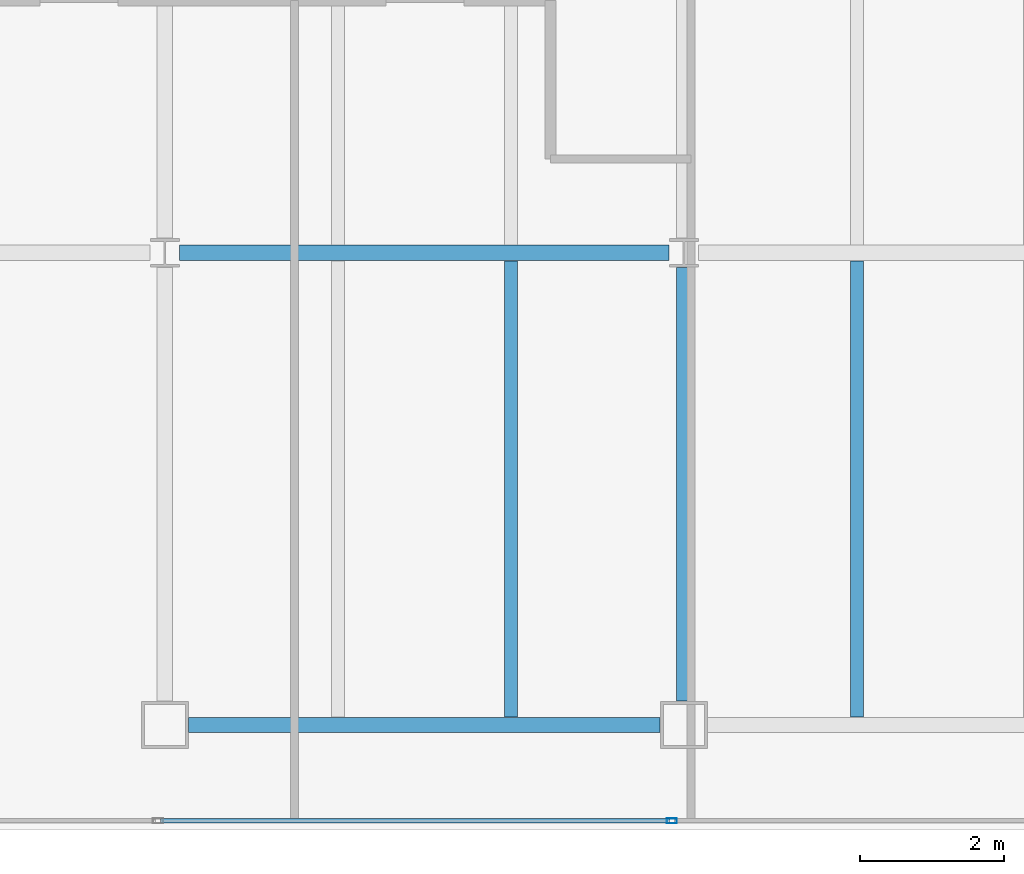
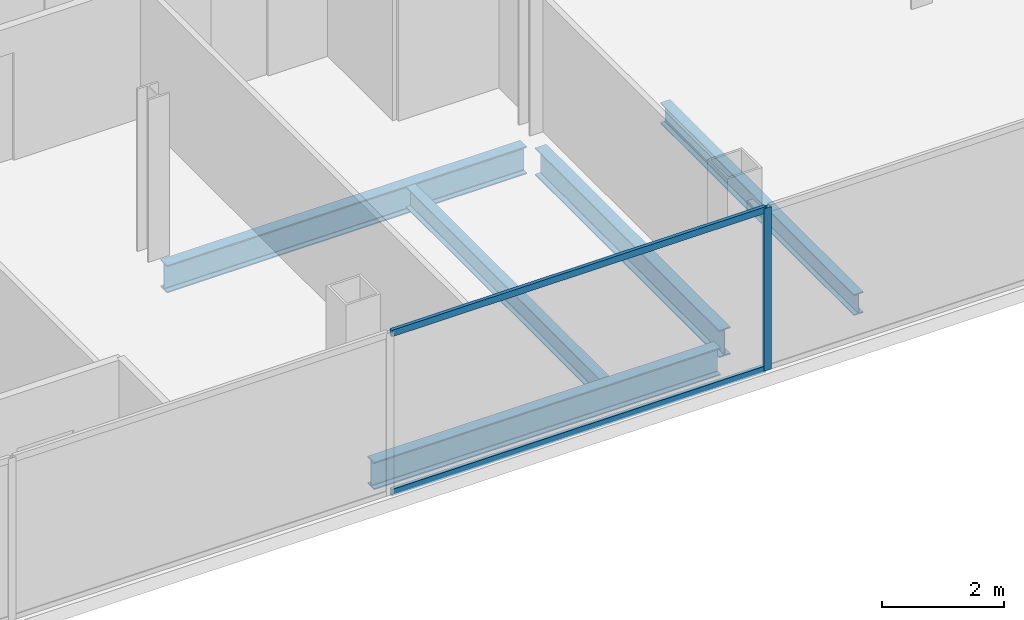
# One storey, part 6 of 23: 5 beams, 3 members, 1 element without a shape of its own.
"""IFC4 building model written with IfcOpenShell, lengths in metres."""

from ifc_helpers import new_model, si_unit, direction, frame, origin, origin_2d, place, context, subcontext, project, spatial, hollow_rectangle, i_section, extrude, material, material_profile, profile_set, type_object, element, aggregate, save


model = new_model("IFC4")

# Units and contexts
model_context = context("Model", 3, precision=1e-05, world=origin(), true_north=direction((0.0, 1.0)))
body_context = subcontext(model_context, "Body", "Model", "MODEL_VIEW")
ifc_project = project(units=[si_unit("LENGTHUNIT", "METRE"), si_unit("AREAUNIT", "SQUARE_METRE"), si_unit("VOLUMEUNIT", "CUBIC_METRE"), si_unit("PLANEANGLEUNIT", "RADIAN"), si_unit("MASSUNIT", "GRAM", prefix="KILO")], contexts=[model_context])

# Site, building, storey
site_placement = place(None, origin())
site = spatial("IfcSite", under=ifc_project, at=site_placement, CompositionType="ELEMENT")
building_placement = place(site_placement, origin())
building = spatial("IfcBuilding", under=site, at=building_placement, Name="Cobrela Telecom Tower", CompositionType="ELEMENT")
storey_placement = place(building_placement, frame((0.0, 0.0, 265.64990234375)))
storey = spatial("IfcBuildingStorey", under=building, at=storey_placement, Name="L69", CompositionType="ELEMENT", Elevation=265.64990234375)

# Beams
ifc_material_1 = material(Name="Steel ASTM A992 Grade 50", Category="steel")
ifc_material_profile_1 = material_profile(ifc_material_1, i_section(OverallWidth=0.212890625, OverallDepth=0.549072265625, WebThickness=0.0146484375, FlangeThickness=0.023681640625, FilletRadius=0.013916015625, at=origin_2d()), Name="W21X93")
ifc_profile_set_1 = profile_set([ifc_material_profile_1], Name="Steel ASTM A992 Grade 50")
beam_type_1 = type_object("IfcBeamType", Name="BM-GIRD-08", PredefinedType="USERDEFINED", material=ifc_profile_set_1)
beam_1_placement = place(storey_placement, frame((21.929931640625, 7.85009765625, -0.534423828125), z_axis=(1.0, 0.0, 0.0), x_axis=(0.0, 1.0, 0.0)))
element("IfcBeam", 1, at=beam_1_placement, inside=storey, type_object=beam_type_1, Name="L69 Primary Girder X03", ObjectType="GIRDER", PredefinedType="USERDEFINED", context=body_context, shape_type="SweptSolid", body=[
    extrude(i_section(OverallWidth=0.212890625, OverallDepth=0.549072265625, WebThickness=0.0146484375, FlangeThickness=0.023681640625, FilletRadius=0.013916015625, at=origin_2d()), origin(), (0.0, 0.0, 1.0), 6.5400390625),
])
beam_2_placement = place(storey_placement, frame((21.804443359375, 14.39990234375, -0.534423828125), z_axis=(1.0, 0.0, 0.0), x_axis=(0.0, 1.0, 0.0)))
element("IfcBeam", 2, at=beam_2_placement, inside=storey, type_object=beam_type_1, Name="L69 Primary Girder X06", ObjectType="GIRDER", PredefinedType="USERDEFINED", context=body_context, shape_type="SweptSolid", body=[
    extrude(i_section(OverallWidth=0.212890625, OverallDepth=0.549072265625, WebThickness=0.0146484375, FlangeThickness=0.023681640625, FilletRadius=0.013916015625, at=origin_2d()), origin(), (0.0, 0.0, 1.0), 6.791015625),
])
beam_3_placement = place(storey_placement, frame((28.800048828125, 8.179931640625, -0.534423828125), z_axis=(0.0, 1.0, 0.0), x_axis=(-1.0, 0.0, 0.0)))
element("IfcBeam", 3, at=beam_3_placement, inside=storey, type_object=beam_type_1, Name="L69 Primary Girder Y29", ObjectType="GIRDER", PredefinedType="USERDEFINED", context=body_context, shape_type="SweptSolid", body=[
    extrude(i_section(OverallWidth=0.212890625, OverallDepth=0.549072265625, WebThickness=0.0146484375, FlangeThickness=0.023681640625, FilletRadius=0.013916015625, at=origin_2d()), origin(), (0.0, 0.0, 1.0), 6.015625),
])
ifc_material_profile_2 = material_profile(ifc_material_1, i_section(OverallWidth=0.179931640625, OverallDepth=0.4169921875, WebThickness=0.010986328125, FlangeThickness=0.01806640625, FilletRadius=0.011962890625, at=origin_2d()), Name="W16X57")
ifc_profile_set_2 = profile_set([ifc_material_profile_2], Name="Steel ASTM A992 Grade 50")
beam_type_2 = type_object("IfcBeamType", Name="BM-JOIST-04", PredefinedType="JOIST", material=ifc_profile_set_2)
for number, where, z_axis, x_axis, name in (
    (4, (26.39990234375, 7.96142578125, -0.468505859375), (0.0, 1.0, 0.0), (-1.0, 0.0, 0.0), "L69 Secondary Composite Floor Beam J09"),
    (5, (31.199951171875, 7.96142578125, -0.468505859375), (0.0, 1.0, 0.0), (-1.0, 0.0, 0.0), "L69 Secondary Composite Floor Beam J11"),
):
    element("IfcBeam", number, at=place(storey_placement, frame(where, z_axis=z_axis, x_axis=x_axis)), inside=storey, type_object=beam_type_2, Name=name, PredefinedType="JOIST", context=body_context, shape_type="SweptSolid", body=[
        extrude(i_section(OverallWidth=0.179931640625, OverallDepth=0.4169921875, WebThickness=0.010986328125, FlangeThickness=0.01806640625, FilletRadius=0.011962890625, at=origin_2d()), origin(), (0.0, 0.0, 1.0), 6.3271484375),
    ])

# Curtain wall, members
ifc_material_2 = material(Name="Anodized Bronze Aluminium 6063-T6", Category="aluminium")
curtain_wall_type = type_object("IfcCurtainWallType", Name="CW-SYS-OFF-HI", PredefinedType="USERDEFINED", material=ifc_material_2)
curtain_wall_placement = place(storey_placement, origin())
curtain_wall = element("IfcCurtainWall", 6, at=curtain_wall_placement, inside=storey, type_object=curtain_wall_type, Name="L69 Unitised Bronze Curtain Wall 15", ObjectType="UNITISED CURTAIN WALL", PredefinedType="USERDEFINED")
ifc_material_profile_3 = material_profile(ifc_material_2, hollow_rectangle(XDim=0.070068359375, YDim=0.139892578125, WallThickness=0.00390625, at=origin_2d()), Name="ALU 70x140x4")
ifc_profile_set_3 = profile_set([ifc_material_profile_3], Name="Anodized Bronze Aluminium 6063-T6")
member_type_1 = type_object("IfcMemberType", Name="CW-SYS-OFF-HI-MUL", PredefinedType="MULLION", material=ifc_profile_set_3)
member_1_placement = place(storey_placement, frame((28.63330078125, 6.52001953125, 0.0), z_axis=(0.0, 0.0, 1.0), x_axis=(0.0, -1.0, 0.0)))
member_1 = element("IfcMember", 7, at=member_1_placement, type_object=member_type_1, Name="CW-OFF-HI mullion 3", PredefinedType="MULLION", context=body_context, shape_type="SweptSolid", body=[
    extrude(hollow_rectangle(XDim=0.070068359375, YDim=0.139892578125, WallThickness=0.00390625, at=origin_2d()), origin(), (0.0, 0.0, 1.0), 3.239990234375),
])
ifc_material_profile_4 = material_profile(ifc_material_2, hollow_rectangle(XDim=0.06494140625, YDim=0.1298828125, WallThickness=0.00390625, at=origin_2d()), Name="ALU 65x130x4")
ifc_profile_set_4 = profile_set([ifc_material_profile_4], Name="Anodized Bronze Aluminium 6063-T6")
member_type_2 = type_object("IfcMemberType", Name="CW-SYS-OFF-HI-TRN", PredefinedType="USERDEFINED", material=ifc_profile_set_4)
member_2_placement = place(storey_placement, frame((28.598388671875, 6.52001953125, 0.03271484375), z_axis=(-1.0, 0.0, 0.0), x_axis=(0.0, -1.0, 0.0)))
member_2 = element("IfcMember", 8, at=member_2_placement, type_object=member_type_2, Name="CW-OFF-HI transom 3.1", ObjectType="TRANSOM", PredefinedType="USERDEFINED", context=body_context, shape_type="SweptSolid", body=[
    extrude(hollow_rectangle(XDim=0.06494140625, YDim=0.1298828125, WallThickness=0.00390625, at=origin_2d()), origin(), (0.0, 0.0, 1.0), 7.058349609375),
])
member_3_placement = place(storey_placement, frame((28.598388671875, 6.52001953125, 3.20751953125), z_axis=(-1.0, 0.0, 0.0), x_axis=(0.0, -1.0, 0.0)))
member_3 = element("IfcMember", 9, at=member_3_placement, type_object=member_type_2, Name="CW-OFF-HI transom 3.2", ObjectType="TRANSOM", PredefinedType="USERDEFINED", context=body_context, shape_type="SweptSolid", body=[
    extrude(hollow_rectangle(XDim=0.06494140625, YDim=0.1298828125, WallThickness=0.00390625, at=origin_2d()), origin(), (0.0, 0.0, 1.0), 7.058349609375),
])
aggregate(curtain_wall, [member_1, member_2, member_3])

save(model, "model.ifc")
